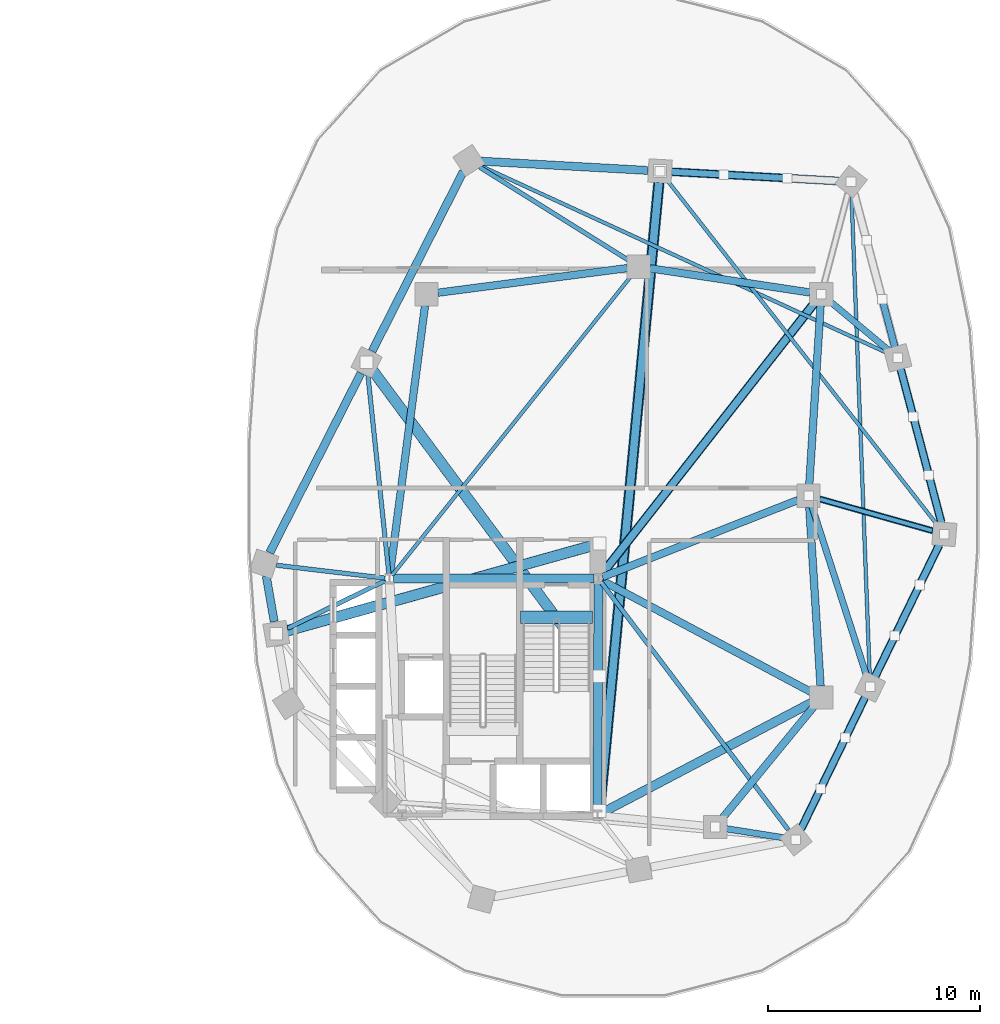
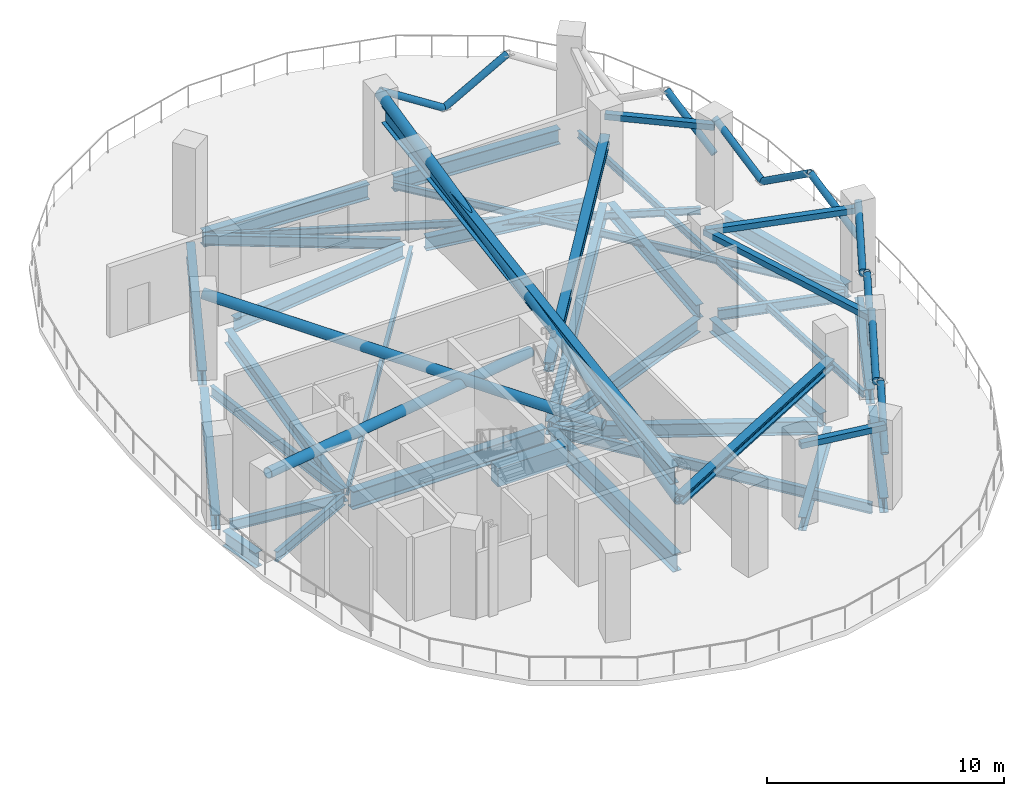
# One storey, part 3 of 13: 31 beams, 21 members.
"""IFC4 building model written with IfcOpenShell, lengths in metres."""

from ifc_helpers import new_model, si_unit, direction, frame, origin, origin_2d, place, context, subcontext, project, spatial, rectangle, hollow_rectangle, hollow_circle, i_section, extrude, material, material_profile, profile_set, type_object, element, save


model = new_model("IFC4")

# Units and contexts
model_context = context("Model", 3, precision=1e-05, world=origin(), true_north=direction((0.0, 1.0)))
body_context = subcontext(model_context, "Body", "Model", "MODEL_VIEW")
ifc_project = project(units=[si_unit("LENGTHUNIT", "METRE"), si_unit("AREAUNIT", "SQUARE_METRE"), si_unit("VOLUMEUNIT", "CUBIC_METRE"), si_unit("PLANEANGLEUNIT", "RADIAN"), si_unit("MASSUNIT", "GRAM", prefix="KILO"), si_unit("THERMODYNAMICTEMPERATUREUNIT", "KELVIN"), si_unit("POWERUNIT", "WATT")], contexts=[model_context])

# Site, building, storey
site_placement = place(None, origin())
site = spatial("IfcSite", under=ifc_project, at=site_placement, CompositionType="ELEMENT")
building_placement = place(site_placement, origin())
building = spatial("IfcBuilding", under=site, at=building_placement, Name="Cundina Bronze Exchange", CompositionType="ELEMENT")
storey_placement = place(building_placement, frame((0.0, 0.0, 77.199951171875)))
storey = spatial("IfcBuildingStorey", under=building, at=storey_placement, Name="L19", CompositionType="ELEMENT", Elevation=77.199951171875)

# Beams
ifc_material_1 = material(Name="Concrete C60/75", Category="concrete")
ifc_material_profile_1 = material_profile(ifc_material_1, rectangle(XDim=0.60009765625, YDim=0.949951171875, at=origin_2d()), Name="RC600X950", Category="concrete")
ifc_profile_set_1 = profile_set([ifc_material_profile_1], Name="Concrete C60/75")
beam_type_1 = type_object("IfcBeamType", Name="BM-COUP-RC950", PredefinedType="LINTEL", material=ifc_profile_set_1)
beam_1_placement = place(storey_placement, frame((27.6201171875, -5.719970703125, -0.474853515625), z_axis=(1.0, 0.0, 0.0), x_axis=(0.0, 1.0, 0.0)))
element("IfcBeam", 1, at=beam_1_placement, inside=storey, type_object=beam_type_1, Name="L19 Stair E1 Landing Header Beam", PredefinedType="LINTEL", context=body_context, shape_type="SweptSolid", body=[
    extrude(rectangle(XDim=0.60009765625, YDim=0.949951171875, at=origin_2d()), origin(), (0.0, 0.0, 1.0), 3.39990234375),
])
ifc_material_2 = material(Name="Steel ASTM A992 Grade 50", Category="steel")
ifc_material_profile_2 = material_profile(ifc_material_2, i_section(OverallWidth=0.2099609375, OverallDepth=0.532958984375, WebThickness=0.01025390625, FlangeThickness=0.015625, FilletRadius=0.013916015625, at=origin_2d()), Name="W21X62", Category="steel")
ifc_profile_set_2 = profile_set([ifc_material_profile_2], Name="Steel ASTM A992 Grade 50")
beam_type_2 = type_object("IfcBeamType", Name="BM-FLR-W21B", PredefinedType="BEAM", material=ifc_profile_set_2)
beam_2_placement = place(storey_placement, frame((21.247314453125, -3.8759765625, -0.54638671875), z_axis=(-0.993035236117, 0.117817739878, 0.0), x_axis=(-0.117817739878, -0.993035236117, 0.0)))
element("IfcBeam", 2, at=beam_2_placement, inside=storey, type_object=beam_type_2, Name="L19 Leg E Chordal Floor Beam 00", PredefinedType="BEAM", context=body_context, shape_type="SweptSolid", body=[
    extrude(i_section(OverallWidth=0.2099609375, OverallDepth=0.532958984375, WebThickness=0.01025390625, FlangeThickness=0.015625, FilletRadius=0.013916015625, at=origin_2d()), origin(), (0.0, 0.0, 1.0), 5.1494140625),
])
beam_3_placement = place(storey_placement, frame((21.2666015625, -3.989501953125, -0.54638671875), z_axis=(-0.898610249448, -0.438747785849, 0.0), x_axis=(0.438747785849, -0.898610249448, 0.0)))
element("IfcBeam", 3, at=beam_3_placement, inside=storey, type_object=beam_type_2, Name="L19 Leg E Chordal Floor Beam 01", PredefinedType="BEAM", context=body_context, shape_type="SweptSolid", body=[
    extrude(i_section(OverallWidth=0.2099609375, OverallDepth=0.532958984375, WebThickness=0.01025390625, FlangeThickness=0.015625, FilletRadius=0.013916015625, at=origin_2d()), origin(), (0.0, 0.0, 1.0), 5.1337890625),
])
beam_4_placement = place(storey_placement, frame((31.423095703125, -4.062744140625, -0.54638671875), z_axis=(0.603106461849, -0.797660702101, 0.0), x_axis=(0.797660702101, 0.603106461849, 0.0)))
element("IfcBeam", 4, at=beam_4_placement, inside=storey, type_object=beam_type_2, Name="L19 Leg E Chordal Floor Beam 06", PredefinedType="BEAM", context=body_context, shape_type="SweptSolid", body=[
    extrude(i_section(OverallWidth=0.2099609375, OverallDepth=0.532958984375, WebThickness=0.01025390625, FlangeThickness=0.015625, FilletRadius=0.013916015625, at=origin_2d()), origin(), (0.0, 0.0, 1.0), 14.6279296875),
])
beam_5_placement = place(storey_placement, frame((41.718017578125, -0.145751953125, -0.54638671875), z_axis=(0.962650219971, -0.270748137554, 0.0), x_axis=(0.270748137554, 0.962650219971, 0.0)))
element("IfcBeam", 5, at=beam_5_placement, inside=storey, type_object=beam_type_2, Name="L19 Leg E Chordal Floor Beam 08", PredefinedType="BEAM", context=body_context, shape_type="SweptSolid", body=[
    extrude(i_section(OverallWidth=0.2099609375, OverallDepth=0.532958984375, WebThickness=0.01025390625, FlangeThickness=0.015625, FilletRadius=0.013916015625, at=origin_2d()), origin(), (0.0, 0.0, 1.0), 5.522216796875),
])
beam_6_placement = place(storey_placement, frame((32.743896484375, 11.085205078125, -0.54638671875), z_axis=(-0.848014812458, 0.529972525563, 0.0), x_axis=(-0.529972525563, -0.848014812458, 0.0)))
element("IfcBeam", 6, at=beam_6_placement, inside=storey, type_object=beam_type_2, Name="L19 Leg E Chordal Floor Beam 12", PredefinedType="BEAM", context=body_context, shape_type="SweptSolid", body=[
    extrude(i_section(OverallWidth=0.2099609375, OverallDepth=0.532958984375, WebThickness=0.01025390625, FlangeThickness=0.015625, FilletRadius=0.013916015625, at=origin_2d()), origin(), (0.0, 0.0, 1.0), 8.30810546875),
])
beam_7_placement = place(storey_placement, frame((21.4287109375, -3.697021484375, -0.54638671875), z_axis=(-0.10483517787, 0.994489610544, 0.0), x_axis=(-0.994489610544, -0.10483517787, 0.0)))
element("IfcBeam", 7, at=beam_7_placement, inside=storey, type_object=beam_type_2, Name="L19 Leg E Chordal Floor Beam 13", PredefinedType="BEAM", context=body_context, shape_type="SweptSolid", body=[
    extrude(i_section(OverallWidth=0.2099609375, OverallDepth=0.532958984375, WebThickness=0.01025390625, FlangeThickness=0.015625, FilletRadius=0.013916015625, at=origin_2d()), origin(), (0.0, 0.0, 1.0), 9.46435546875),
])
ifc_material_profile_3 = material_profile(ifc_material_2, i_section(OverallWidth=0.172119140625, OverallDepth=0.35791015625, WebThickness=0.0078125, FlangeThickness=0.01318359375, FilletRadius=0.010009765625, at=origin_2d()), Name="W14X38", Category="steel")
ifc_profile_set_3 = profile_set([ifc_material_profile_3], Name="Steel ASTM A992 Grade 50")
beam_type_3 = type_object("IfcBeamType", Name="BM-JST-W14", PredefinedType="JOIST", material=ifc_profile_set_3)
beam_8_placement = place(storey_placement, frame((21.577392578125, -3.740478515625, -0.458984375), z_axis=(0.62436887964, 0.781129632095, 0.0), x_axis=(-0.781129632095, 0.62436887964, 0.0)))
element("IfcBeam", 8, at=beam_8_placement, inside=storey, type_object=beam_type_3, Name="L19 E Interior Core-to-Ring Joist 2", PredefinedType="JOIST", context=body_context, shape_type="SweptSolid", body=[
    extrude(i_section(OverallWidth=0.172119140625, OverallDepth=0.35791015625, WebThickness=0.0078125, FlangeThickness=0.01318359375, FilletRadius=0.010009765625, at=origin_2d()), origin(), (0.0, 0.0, 1.0), 18.076904296875),
])
beam_9_placement = place(storey_placement, frame((44.077880859375, -8.412353515625, -0.458984375), z_axis=(-0.037794949147, 0.999285515666, 0.0), x_axis=(-0.999285515666, -0.037794949147, 0.0)))
element("IfcBeam", 9, at=beam_9_placement, inside=storey, type_object=beam_type_3, Name="L19 Leg E Lobe Floor Joist 07-10", PredefinedType="JOIST", context=body_context, shape_type="SweptSolid", body=[
    extrude(i_section(OverallWidth=0.172119140625, OverallDepth=0.35791015625, WebThickness=0.0078125, FlangeThickness=0.01318359375, FilletRadius=0.010009765625, at=origin_2d()), origin(), (0.0, 0.0, 1.0), 22.640869140625),
])
beam_10_placement = place(storey_placement, frame((47.2373046875, -1.337158203125, -0.458984375), z_axis=(-0.616803089524, 0.787117493614, 0.0), x_axis=(-0.787117493614, -0.616803089524, 0.0)))
element("IfcBeam", 10, at=beam_10_placement, inside=storey, type_object=beam_type_3, Name="L19 Leg E Lobe Floor Joist 08-11", PredefinedType="JOIST", context=body_context, shape_type="SweptSolid", body=[
    extrude(i_section(OverallWidth=0.172119140625, OverallDepth=0.35791015625, WebThickness=0.0078125, FlangeThickness=0.01318359375, FilletRadius=0.010009765625, at=origin_2d()), origin(), (0.0, 0.0, 1.0), 20.548828125),
])
beam_11_placement = place(storey_placement, frame((44.865966796875, 6.745849609375, -0.458984375), z_axis=(-0.908351511887, 0.418207521277, 0.0), x_axis=(-0.418207521277, -0.908351511887, 0.0)))
element("IfcBeam", 11, at=beam_11_placement, inside=storey, type_object=beam_type_3, Name="L19 Leg E Lobe Floor Joist 09-12", PredefinedType="JOIST", context=body_context, shape_type="SweptSolid", body=[
    extrude(i_section(OverallWidth=0.172119140625, OverallDepth=0.35791015625, WebThickness=0.0078125, FlangeThickness=0.01318359375, FilletRadius=0.010009765625, at=origin_2d()), origin(), (0.0, 0.0, 1.0), 21.062255859375),
])
ifc_material_profile_4 = material_profile(ifc_material_2, i_section(OverallWidth=0.39990234375, OverallDepth=0.85498046875, WebThickness=0.018310546875, FlangeThickness=0.029296875, FilletRadius=0.02001953125, at=origin_2d()), Name="W33X201", Category="steel")
ifc_profile_set_4 = profile_set([ifc_material_profile_4], Name="Steel ASTM A992 Grade 50")
beam_type_4 = type_object("IfcBeamType", Name="BM-OUT-W33", PredefinedType="USERDEFINED", material=ifc_profile_set_4)
beam_12_placement = place(storey_placement, frame((31.392333984375, -14.402099609375, 3.422607421875), z_axis=(0.094109454141, 0.995561856763, 0.0), x_axis=(-0.995561856763, 0.094109454141, 0.0)))
element("IfcBeam", 12, at=beam_12_placement, inside=storey, type_object=beam_type_4, Name="L19 E Outrigger Upper Tie Chord 1", ObjectType="GIRDER", PredefinedType="USERDEFINED", context=body_context, shape_type="SweptSolid", body=[
    extrude(i_section(OverallWidth=0.39990234375, OverallDepth=0.85498046875, WebThickness=0.018310546875, FlangeThickness=0.029296875, FilletRadius=0.02001953125, at=origin_2d()), origin(), (0.0, 0.0, 1.0), 29.296630859375),
])
ifc_material_profile_5 = material_profile(ifc_material_2, i_section(OverallWidth=0.35498046875, OverallDepth=0.695068359375, WebThickness=0.015380859375, FlangeThickness=0.02490234375, FilletRadius=0.01806640625, at=origin_2d()), Name="W27X146", Category="steel")
ifc_profile_set_5 = profile_set([ifc_material_profile_5], Name="Steel ASTM A992 Grade 50")
beam_type_5 = type_object("IfcBeamType", Name="BM-RING-W27", PredefinedType="USERDEFINED", material=ifc_profile_set_5)
beam_13_placement = place(storey_placement, frame((37.14111328125, -15.183837890625, -0.62744140625), z_axis=(0.633926549035, 0.773393257295, 0.0), x_axis=(-0.773393257295, 0.633926549035, 0.0)))
element("IfcBeam", 13, at=beam_13_placement, inside=storey, type_object=beam_type_5, Name="L19 E Inner Structural Ring Girder 02", ObjectType="GIRDER", PredefinedType="USERDEFINED", context=body_context, shape_type="SweptSolid", body=[
    extrude(i_section(OverallWidth=0.35498046875, OverallDepth=0.695068359375, WebThickness=0.015380859375, FlangeThickness=0.02490234375, FilletRadius=0.01806640625, at=origin_2d()), origin(), (0.0, 0.0, 1.0), 6.811279296875),
])
for number, where, z_axis, x_axis, name in (
    (14, (41.76611328125, -8.963134765625, -0.62744140625), (-0.06303715519, 0.998011180832, 0.0), (-0.998011180832, -0.06303715519, 0.0), "L19 E Inner Structural Ring Girder 03"),
    (15, (41.23388671875, 0.536865234375, -0.62744140625), (0.06303715519, 0.998011180832, 0.0), (-0.998011180832, 0.06303715519, 0.0), "L19 E Inner Structural Ring Girder 04"),
):
    element("IfcBeam", number, at=place(storey_placement, frame(where, z_axis=z_axis, x_axis=x_axis)), inside=storey, type_object=beam_type_5, Name=name, ObjectType="GIRDER", PredefinedType="USERDEFINED", context=body_context, shape_type="SweptSolid", body=[
        extrude(i_section(OverallWidth=0.35498046875, OverallDepth=0.695068359375, WebThickness=0.015380859375, FlangeThickness=0.02490234375, FilletRadius=0.01806640625, at=origin_2d()), origin(), (0.0, 0.0, 1.0), 8.443115234375),
    ])
beam_14_placement = place(storey_placement, frame((41.26806640625, 9.580322265625, -0.62744140625), z_axis=(-0.988767489563, 0.149461873341, 0.0), x_axis=(-0.149461873341, -0.988767489563, 0.0)))
element("IfcBeam", 16, at=beam_14_placement, inside=storey, type_object=beam_type_5, Name="L19 E Inner Structural Ring Girder 05", ObjectType="GIRDER", PredefinedType="USERDEFINED", context=body_context, shape_type="SweptSolid", body=[
    extrude(i_section(OverallWidth=0.35498046875, OverallDepth=0.695068359375, WebThickness=0.015380859375, FlangeThickness=0.02490234375, FilletRadius=0.01806640625, at=origin_2d()), origin(), (0.0, 0.0, 1.0), 7.621826171875),
])
beam_15_placement = place(storey_placement, frame((32.66650390625, 10.730712890625, -0.62744140625), z_axis=(-0.991654577907, -0.128923225666, 0.0), x_axis=(0.128923225666, -0.991654577907, 0.0)))
element("IfcBeam", 17, at=beam_15_placement, inside=storey, type_object=beam_type_5, Name="L19 E Inner Structural Ring Girder 06", ObjectType="GIRDER", PredefinedType="USERDEFINED", context=body_context, shape_type="SweptSolid", body=[
    extrude(i_section(OverallWidth=0.35498046875, OverallDepth=0.695068359375, WebThickness=0.015380859375, FlangeThickness=0.02490234375, FilletRadius=0.01806640625, at=origin_2d()), origin(), (0.0, 0.0, 1.0), 9.00830078125),
])
beam_16_placement = place(storey_placement, frame((23.13037109375, 8.966552734375, -0.62744140625), z_axis=(-0.129507526533, -0.99157843894, 0.0), x_axis=(0.99157843894, -0.129507526533, 0.0)))
element("IfcBeam", 18, at=beam_16_placement, inside=storey, type_object=beam_type_5, Name="L19 E Inner Structural Ring Girder 07", ObjectType="GIRDER", PredefinedType="USERDEFINED", context=body_context, shape_type="SweptSolid", body=[
    extrude(i_section(OverallWidth=0.35498046875, OverallDepth=0.695068359375, WebThickness=0.015380859375, FlangeThickness=0.02490234375, FilletRadius=0.01806640625, at=origin_2d()), origin(), (0.0, 0.0, 1.0), 12.77197265625),
])
beam_17_placement = place(storey_placement, frame((31.48974609375, -3.8251953125, -0.62744140625), z_axis=(0.930413235418, 0.366512225388, 0.0), x_axis=(-0.366512225388, 0.930413235418, 0.0)))
element("IfcBeam", 19, at=beam_17_placement, inside=storey, type_object=beam_type_5, Name="L19 E Core-to-Waist Tie Beam 1", ObjectType="GIRDER", PredefinedType="USERDEFINED", context=body_context, shape_type="SweptSolid", body=[
    extrude(i_section(OverallWidth=0.35498046875, OverallDepth=0.695068359375, WebThickness=0.015380859375, FlangeThickness=0.02490234375, FilletRadius=0.01806640625, at=origin_2d()), origin(), (0.0, 0.0, 1.0), 9.8984375),
])
beam_18_placement = place(storey_placement, frame((31.47998046875, -3.99609375, -0.62744140625), z_axis=(0.882354758239, -0.470584828286, 0.0), x_axis=(0.470584828286, 0.882354758239, 0.0)))
element("IfcBeam", 20, at=beam_18_placement, inside=storey, type_object=beam_type_5, Name="L19 E Core-to-Waist Tie Beam 2", ObjectType="GIRDER", PredefinedType="USERDEFINED", context=body_context, shape_type="SweptSolid", body=[
    extrude(i_section(OverallWidth=0.35498046875, OverallDepth=0.695068359375, WebThickness=0.015380859375, FlangeThickness=0.02490234375, FilletRadius=0.01806640625, at=origin_2d()), origin(), (0.0, 0.0, 1.0), 11.157958984375),
])
beam_19_placement = place(storey_placement, frame((31.42578125, -3.739501953125, -0.62744140625), z_axis=(0.616789275748, 0.787128318206, 0.0), x_axis=(-0.787128318206, 0.616789275748, 0.0)))
element("IfcBeam", 21, at=beam_19_placement, inside=storey, type_object=beam_type_5, Name="L19 E Core-to-Waist Tie Beam 3", ObjectType="GIRDER", PredefinedType="USERDEFINED", context=body_context, shape_type="SweptSolid", body=[
    extrude(i_section(OverallWidth=0.35498046875, OverallDepth=0.695068359375, WebThickness=0.015380859375, FlangeThickness=0.02490234375, FilletRadius=0.01806640625, at=origin_2d()), origin(), (0.0, 0.0, 1.0), 16.281982421875),
])
ifc_material_profile_6 = material_profile(ifc_material_2, i_section(OverallWidth=0.381103515625, OverallDepth=0.77294921875, WebThickness=0.0166015625, FlangeThickness=0.027099609375, FilletRadius=0.01904296875, at=origin_2d()), Name="W30X173", Category="steel")
ifc_profile_set_6 = profile_set([ifc_material_profile_6], Name="Steel ASTM A992 Grade 50")
beam_type_6 = type_object("IfcBeamType", Name="BM-RING-W30", PredefinedType="USERDEFINED", material=ifc_profile_set_6)
beam_20_placement = place(storey_placement, frame((15.65087890625, -3.779296875, -0.66650390625), z_axis=(0.171734584051, -0.985143254883, 0.0), x_axis=(0.985143254883, 0.171734584051, 0.0)))
element("IfcBeam", 22, at=beam_20_placement, inside=storey, type_object=beam_type_6, Name="L19 E Perimeter Ring Girder 00", ObjectType="GIRDER", PredefinedType="USERDEFINED", context=body_context, shape_type="SweptSolid", body=[
    extrude(i_section(OverallWidth=0.381103515625, OverallDepth=0.77294921875, WebThickness=0.0166015625, FlangeThickness=0.027099609375, FilletRadius=0.01904296875, at=origin_2d()), origin(), (0.0, 0.0, 1.0), 2.173583984375),
])
for number, where, z_axis, x_axis, name in (
    (23, (40.857177734375, -15.671142578125, -0.66650390625), (0.437190698904, 0.899368830231, 0.0), (-0.899368830231, 0.437190698904, 0.0), "L19 E Perimeter Ring Girder 06"),
    (24, (44.357177734375, -8.47119140625, -0.66650390625), (0.437190698904, 0.899368830231, 0.0), (-0.899368830231, 0.437190698904, 0.0), "L19 E Perimeter Ring Girder 07"),
):
    element("IfcBeam", number, at=place(storey_placement, frame(where, z_axis=z_axis, x_axis=x_axis)), inside=storey, type_object=beam_type_6, Name=name, ObjectType="GIRDER", PredefinedType="USERDEFINED", context=body_context, shape_type="SweptSolid", body=[
        extrude(i_section(OverallWidth=0.381103515625, OverallDepth=0.77294921875, WebThickness=0.0166015625, FlangeThickness=0.027099609375, FilletRadius=0.01904296875, at=origin_2d()), origin(), (0.0, 0.0, 1.0), 6.82958984375),
    ])
beam_21_placement = place(storey_placement, frame((47.44921875, -1.231689453125, -0.66650390625), z_axis=(-0.256177785604, 0.966629682021, 0.0), x_axis=(-0.966629682021, -0.256177785604, 0.0)))
element("IfcBeam", 25, at=beam_21_placement, inside=storey, type_object=beam_type_6, Name="L19 E Perimeter Ring Girder 08", ObjectType="GIRDER", PredefinedType="USERDEFINED", context=body_context, shape_type="SweptSolid", body=[
    extrude(i_section(OverallWidth=0.381103515625, OverallDepth=0.77294921875, WebThickness=0.0166015625, FlangeThickness=0.027099609375, FilletRadius=0.01904296875, at=origin_2d()), origin(), (0.0, 0.0, 1.0), 7.41064453125),
])
for number, where, z_axis, x_axis, name in (
    (26, (42.61279296875, 14.83251953125, -0.66650390625), (-0.998459969805, 0.055476920391, 0.0), (-0.055476920391, -0.998459969805, 0.0), "L19 E Perimeter Ring Girder 10"),
    (27, (33.61279296875, 15.33251953125, -0.66650390625), (-0.998459969805, 0.055476920391, 0.0), (-0.055476920391, -0.998459969805, 0.0), "L19 E Perimeter Ring Girder 11"),
):
    element("IfcBeam", number, at=place(storey_placement, frame(where, z_axis=z_axis, x_axis=x_axis)), inside=storey, type_object=beam_type_6, Name=name, ObjectType="GIRDER", PredefinedType="USERDEFINED", context=body_context, shape_type="SweptSolid", body=[
        extrude(i_section(OverallWidth=0.381103515625, OverallDepth=0.77294921875, WebThickness=0.0166015625, FlangeThickness=0.027099609375, FilletRadius=0.01904296875, at=origin_2d()), origin(), (0.0, 0.0, 1.0), 7.837646484375),
    ])
for number, where, z_axis, x_axis, name in (
    (28, (24.93359375, 15.275634765625, -0.66650390625), (-0.452819633606, -0.891602141889, 0.0), (0.891602141889, -0.452819633606, 0.0), "L19 E Perimeter Ring Girder 12"),
    (29, (20.108642578125, 5.775634765625, -0.66650390625), (-0.452819633606, -0.891602141889, 0.0), (0.891602141889, -0.452819633606, 0.0), "L19 E Perimeter Ring Girder 13"),
):
    element("IfcBeam", number, at=place(storey_placement, frame(where, z_axis=z_axis, x_axis=x_axis)), inside=storey, type_object=beam_type_6, Name=name, ObjectType="GIRDER", PredefinedType="USERDEFINED", context=body_context, shape_type="SweptSolid", body=[
        extrude(i_section(OverallWidth=0.381103515625, OverallDepth=0.77294921875, WebThickness=0.0166015625, FlangeThickness=0.027099609375, FilletRadius=0.01904296875, at=origin_2d()), origin(), (0.0, 0.0, 1.0), 9.47900390625),
    ])
ifc_material_profile_7 = material_profile(ifc_material_2, i_section(OverallWidth=0.41796875, OverallDepth=0.927001953125, WebThickness=0.019287109375, FlangeThickness=0.031982421875, FilletRadius=0.02392578125, at=origin_2d()), Name="W36X231", Category="steel")
ifc_profile_set_7 = profile_set([ifc_material_profile_7], Name="Steel ASTM A992 Grade 50")
beam_type_7 = type_object("IfcBeamType", Name="BM-WRN-W36B", PredefinedType="USERDEFINED", material=ifc_profile_set_7)
beam_22_placement = place(storey_placement, frame((31.095947265625, -3.89990234375, -0.743408203125), z_axis=(-1.0, 0.0, 0.0), x_axis=(0.0, -1.0, 0.0)))
element("IfcBeam", 30, at=beam_22_placement, inside=storey, type_object=beam_type_7, Name="L19 E Core Perimeter Tie Girder 1", ObjectType="GIRDER", PredefinedType="USERDEFINED", context=body_context, shape_type="SweptSolid", body=[
    extrude(i_section(OverallWidth=0.41796875, OverallDepth=0.927001953125, WebThickness=0.019287109375, FlangeThickness=0.031982421875, FilletRadius=0.02392578125, at=origin_2d()), origin(), (0.0, 0.0, 1.0), 9.44189453125),
])
beam_23_placement = place(storey_placement, frame((31.2509765625, -14.845947265625, -0.743408203125), z_axis=(0.004477329608, 0.99998997671, 0.0), x_axis=(-0.99998997671, 0.004477329608, 0.0)))
element("IfcBeam", 31, at=beam_23_placement, inside=storey, type_object=beam_type_7, Name="L19 E Core Perimeter Tie Girder 4", ObjectType="GIRDER", PredefinedType="USERDEFINED", context=body_context, shape_type="SweptSolid", body=[
    extrude(i_section(OverallWidth=0.41796875, OverallDepth=0.927001953125, WebThickness=0.019287109375, FlangeThickness=0.031982421875, FilletRadius=0.02392578125, at=origin_2d()), origin(), (0.0, 0.0, 1.0), 10.741943359375),
])

# Members
ifc_material_3 = material(Name="Steel ASTM A500 Grade C", Category="steel")
ifc_material_profile_8 = material_profile(ifc_material_3, hollow_circle(Radius=0.162109375, WallThickness=0.01611328125, at=origin_2d()), Name="CHS324X16", Category="steel")
ifc_profile_set_8 = profile_set([ifc_material_profile_8], Name="Steel ASTM A500 Grade C")
member_type_1 = type_object("IfcMemberType", Name="MBR-BLT-CHS324", PredefinedType="BRACE", material=ifc_profile_set_8)
member_1_placement = place(storey_placement, frame((47.60009765625, -1.800048828125, 2.41015625), z_axis=(-0.215191638379, 0.811839826148, 0.542778643142), x_axis=(-0.966618915213, -0.256218408303, 0.0)))
element("IfcMember", 32, at=member_1_placement, inside=storey, type_object=member_type_1, Name="L19 E Perimeter Belt M-Truss Diagonal 1A", PredefinedType="BRACE", context=body_context, shape_type="SweptSolid", body=[
    extrude(hollow_circle(Radius=0.162109375, WallThickness=0.01611328125, at=origin_2d()), origin(), (0.0, 0.0, 1.0), 3.408203125),
])
for number, where, z_axis, x_axis, name in (
    (33, (46.86669921875, 0.966796875, 4.260009765625), (-0.215204153641, 0.811815402482, -0.542810210431), (-0.966613315255, -0.256239533977, 0.0), "L19 E Perimeter Belt M-Truss Diagonal 1B"),
    (34, (46.13330078125, 3.7333984375, 2.41015625), (-0.215204153641, 0.811815402482, 0.542810210431), (-0.966613315255, -0.256239533977, 0.0), "L19 E Perimeter Belt M-Truss Diagonal 1C"),
):
    element("IfcMember", number, at=place(storey_placement, frame(where, z_axis=z_axis, x_axis=x_axis)), inside=storey, type_object=member_type_1, Name=name, PredefinedType="BRACE", context=body_context, shape_type="SweptSolid", body=[
        extrude(hollow_circle(Radius=0.162109375, WallThickness=0.01611328125, at=origin_2d()), origin(), (0.0, 0.0, 1.0), 3.407958984375),
    ])
member_2_placement = place(storey_placement, frame((44.10009765625, -9.0, 2.41015625), z_axis=(0.359269332014, 0.739141384199, 0.569732885867), x_axis=(-0.899384841713, 0.437157759278, 0.0)))
element("IfcMember", 35, at=member_2_placement, inside=storey, type_object=member_type_1, Name="L19 E Perimeter Belt M-Truss Diagonal 2A", PredefinedType="BRACE", context=body_context, shape_type="SweptSolid", body=[
    extrude(hollow_circle(Radius=0.162109375, WallThickness=0.01611328125, at=origin_2d()), origin(), (0.0, 0.0, 1.0), 3.246826171875),
])
for number, where, z_axis, x_axis, name in (
    (36, (45.2666015625, -6.60009765625, 4.260009765625), (0.359314847033, 0.739155526507, -0.569685833013), (-0.899366355353, 0.437195790075, 0.0), "L19 E Perimeter Belt M-Truss Diagonal 2B"),
    (37, (46.433349609375, -4.199951171875, 2.41015625), (0.359334816351, 0.739121415512, 0.56971749393), (-0.899348867178, 0.437231763606, 0.0), "L19 E Perimeter Belt M-Truss Diagonal 2C"),
):
    element("IfcMember", number, at=place(storey_placement, frame(where, z_axis=z_axis, x_axis=x_axis)), inside=storey, type_object=member_type_1, Name=name, PredefinedType="BRACE", context=body_context, shape_type="SweptSolid", body=[
        extrude(hollow_circle(Radius=0.162109375, WallThickness=0.01611328125, at=origin_2d()), origin(), (0.0, 0.0, 1.0), 3.2470703125),
    ])
member_3_placement = place(storey_placement, frame((45.39990234375, 6.5, 2.41015625), z_axis=(-0.215135830676, 0.81182791649, 0.542818577766), x_axis=(-0.966634439785, -0.256159832569, 0.0)))
element("IfcMember", 38, at=member_3_placement, inside=storey, type_object=member_type_1, Name="L19 E Perimeter Belt M-Truss Diagonal 3A", PredefinedType="BRACE", context=body_context, shape_type="SweptSolid", body=[
    extrude(hollow_circle(Radius=0.162109375, WallThickness=0.01611328125, at=origin_2d()), origin(), (0.0, 0.0, 1.0), 3.407958984375),
])
member_4_placement = place(storey_placement, frame((40.60009765625, -16.199951171875, 2.41015625), z_axis=(0.359269332014, 0.739141384199, 0.569732885867), x_axis=(-0.899384841713, 0.437157759278, 0.0)))
element("IfcMember", 39, at=member_4_placement, inside=storey, type_object=member_type_1, Name="L19 E Perimeter Belt M-Truss Diagonal 4A", PredefinedType="BRACE", context=body_context, shape_type="SweptSolid", body=[
    extrude(hollow_circle(Radius=0.162109375, WallThickness=0.01611328125, at=origin_2d()), origin(), (0.0, 0.0, 1.0), 3.246826171875),
])
for number, where, z_axis, x_axis, name in (
    (40, (41.7666015625, -13.800048828125, 4.260009765625), (0.359314847033, 0.739155526507, -0.569685833013), (-0.899366355353, 0.437195790075, 0.0), "L19 E Perimeter Belt M-Truss Diagonal 4B"),
    (41, (42.933349609375, -11.39990234375, 2.41015625), (0.359334816351, 0.739121415512, 0.56971749393), (-0.899348867178, 0.437231763606, 0.0), "L19 E Perimeter Belt M-Truss Diagonal 4C"),
):
    element("IfcMember", number, at=place(storey_placement, frame(where, z_axis=z_axis, x_axis=x_axis)), inside=storey, type_object=member_type_1, Name=name, PredefinedType="BRACE", context=body_context, shape_type="SweptSolid", body=[
        extrude(hollow_circle(Radius=0.162109375, WallThickness=0.01611328125, at=origin_2d()), origin(), (0.0, 0.0, 1.0), 3.2470703125),
    ])
for number, where, z_axis, x_axis, name in (
    (42, (40.199951171875, 14.966796875, 4.260009765625), (-0.850241174808, 0.047189492287, -0.524273875449), (-0.055416016115, -0.998463351935, 0.0), "L19 E Perimeter Belt M-Truss Diagonal 5B"),
    (43, (37.199951171875, 15.13330078125, 2.41015625), (-0.850238396602, 0.04725853067, 0.524272162358), (-0.055497021194, -0.998458852752, 0.0), "L19 E Perimeter Belt M-Truss Diagonal 5C"),
):
    element("IfcMember", number, at=place(storey_placement, frame(where, z_axis=z_axis, x_axis=x_axis)), inside=storey, type_object=member_type_1, Name=name, PredefinedType="BRACE", context=body_context, shape_type="SweptSolid", body=[
        extrude(hollow_circle(Radius=0.162109375, WallThickness=0.01611328125, at=origin_2d()), origin(), (0.0, 0.0, 1.0), 3.5283203125),
    ])
ifc_material_profile_9 = material_profile(ifc_material_3, hollow_rectangle(XDim=0.300048828125, YDim=0.300048828125, WallThickness=0.01611328125, at=origin_2d()), Name="HSS300X300X16", Category="steel")
ifc_profile_set_9 = profile_set([ifc_material_profile_9], Name="Steel ASTM A500 Grade C")
member_type_2 = type_object("IfcMemberType", Name="MBR-BLT-HSS300", PredefinedType="STRUT", material=ifc_profile_set_9)
member_5_placement = place(storey_placement, frame((41.199951171875, 0.0, 3.85009765625), z_axis=(0.962650641065, -0.270746640342, 0.0), x_axis=(0.270746640342, 0.962650641065, 0.0)))
element("IfcMember", 44, at=member_5_placement, inside=storey, type_object=member_type_2, Name="L19 E Outrigger Collector Strut 1", PredefinedType="STRUT", context=body_context, shape_type="SweptSolid", body=[
    extrude(hollow_rectangle(XDim=0.300048828125, YDim=0.300048828125, WallThickness=0.01611328125, at=origin_2d()), origin(), (0.0, 0.0, 1.0), 6.6484375),
])
member_6_placement = place(storey_placement, frame((41.199951171875, 0.0, 3.85009765625), z_axis=(0.306707801861, -0.951803721509, 0.0), x_axis=(0.951803721509, 0.306707801861, 0.0)))
element("IfcMember", 45, at=member_6_placement, inside=storey, type_object=member_type_2, Name="L19 E Outrigger Collector Strut 2", PredefinedType="STRUT", context=body_context, shape_type="SweptSolid", body=[
    extrude(hollow_rectangle(XDim=0.300048828125, YDim=0.300048828125, WallThickness=0.01611328125, at=origin_2d()), origin(), (0.0, 0.0, 1.0), 9.455810546875),
])
member_7_placement = place(storey_placement, frame((41.800048828125, 9.5, 3.85009765625), z_axis=(0.768208468069, -0.640199773186, 0.0), x_axis=(0.640199773186, 0.768208468069, 0.0)))
element("IfcMember", 46, at=member_7_placement, inside=storey, type_object=member_type_2, Name="L19 E Outrigger Collector Strut 3", PredefinedType="STRUT", context=body_context, shape_type="SweptSolid", body=[
    extrude(hollow_rectangle(XDim=0.300048828125, YDim=0.300048828125, WallThickness=0.01611328125, at=origin_2d()), origin(), (0.0, 0.0, 1.0), 4.68603515625),
])
member_8_placement = place(storey_placement, frame((36.800048828125, -15.60009765625, 3.85009765625), z_axis=(0.98776913913, -0.155923467706, 0.0), x_axis=(0.155923467706, 0.98776913913, 0.0)))
element("IfcMember", 47, at=member_8_placement, inside=storey, type_object=member_type_2, Name="L19 E Outrigger Collector Strut 4", PredefinedType="STRUT", context=body_context, shape_type="SweptSolid", body=[
    extrude(hollow_rectangle(XDim=0.300048828125, YDim=0.300048828125, WallThickness=0.01611328125, at=origin_2d()), origin(), (0.0, 0.0, 1.0), 3.84716796875),
])
ifc_material_profile_10 = material_profile(ifc_material_2, i_section(OverallWidth=0.424072265625, OverallDepth=0.47412109375, WebThickness=0.047607421875, FlangeThickness=0.0771484375, FilletRadius=0.01806640625, at=origin_2d()), Name="W14X426", Category="steel")
ifc_profile_set_10 = profile_set([ifc_material_profile_10], Name="Steel ASTM A992 Grade 50")
member_type_3 = type_object("IfcMemberType", Name="MBR-CHORD-W14X", PredefinedType="CHORD", material=ifc_profile_set_10)
member_9_placement = place(storey_placement, frame((31.300048828125, -3.89990234375, 2.650146484375), z_axis=(0.616786098303, 0.787130808024, 0.0), x_axis=(-0.787130808024, 0.616786098303, 0.0)))
element("IfcMember", 48, at=member_9_placement, inside=storey, type_object=member_type_3, Name="L19 East Outrigger Mid-Height Tie Chord 1", PredefinedType="CHORD", context=body_context, shape_type="SweptSolid", body=[
    extrude(i_section(OverallWidth=0.424072265625, OverallDepth=0.47412109375, WebThickness=0.047607421875, FlangeThickness=0.0771484375, FilletRadius=0.01806640625, at=origin_2d()), origin(), (0.0, 0.0, 1.0), 17.023681640625),
])
member_10_placement = place(storey_placement, frame((31.25, -15.050048828125, 2.650146484375), z_axis=(0.8850083895, 0.465575075058, 0.0), x_axis=(-0.465575075058, 0.8850083895, 0.0)))
element("IfcMember", 49, at=member_10_placement, inside=storey, type_object=member_type_3, Name="L19 East Outrigger Mid-Height Tie Chord 2", PredefinedType="CHORD", context=body_context, shape_type="SweptSolid", body=[
    extrude(i_section(OverallWidth=0.424072265625, OverallDepth=0.47412109375, WebThickness=0.047607421875, FlangeThickness=0.0771484375, FilletRadius=0.01806640625, at=origin_2d()), origin(), (0.0, 0.0, 1.0), 11.9208984375),
])
ifc_material_4 = material(Name="Steel ASTM A501 Grade B", Category="steel")
ifc_material_profile_11 = material_profile(ifc_material_4, hollow_circle(Radius=0.25390625, WallThickness=0.02490234375, at=origin_2d()), Name="CHS508X25", Category="steel")
ifc_profile_set_11 = profile_set([ifc_material_profile_11], Name="Steel ASTM A501 Grade B")
member_type_4 = type_object("IfcMemberType", Name="MBR-OUT-CHS508", PredefinedType="BRACE", material=ifc_profile_set_11)
member_11_placement = place(storey_placement, frame((31.35009765625, -14.85009765625, 2.449951171875), z_axis=(0.093963221474, 0.994087898219, 0.054407385757), x_axis=(-0.995562504252, 0.094102604252, 0.0)))
element("IfcMember", 50, at=member_11_placement, inside=storey, type_object=member_type_4, Name="L19 E Outrigger Truss Diagonal 1", PredefinedType="BRACE", context=body_context, shape_type="SweptSolid", body=[
    extrude(hollow_circle(Radius=0.25390625, WallThickness=0.02490234375, at=origin_2d()), origin(), (0.0, 0.0, 1.0), 30.329345703125),
])
member_12_placement = place(storey_placement, frame((31.35009765625, -8.5, 2.449951171875), z_axis=(-0.593276953739, 0.800040979948, 0.089201382087), x_axis=(-0.803243019028, -0.595651452094, 0.0)))
element("IfcMember", 51, at=member_12_placement, inside=storey, type_object=member_type_4, Name="L19 E Outrigger Truss Diagonal 2", PredefinedType="BRACE", context=body_context, shape_type="SweptSolid", body=[
    extrude(hollow_circle(Radius=0.25390625, WallThickness=0.02490234375, at=origin_2d()), origin(), (0.0, 0.0, 1.0), 18.4990234375),
])
member_13_placement = place(storey_placement, frame((31.35009765625, -2.25, 2.449951171875), z_axis=(-0.957971964942, -0.267412462168, 0.103828172782), x_axis=(0.2688656137, -0.963177699996, 0.0)))
element("IfcMember", 52, at=member_13_placement, inside=storey, type_object=member_type_4, Name="L19 E Outrigger Truss Diagonal 3", PredefinedType="BRACE", context=body_context, shape_type="SweptSolid", body=[
    extrude(hollow_circle(Radius=0.25390625, WallThickness=0.02490234375, at=origin_2d()), origin(), (0.0, 0.0, 1.0), 15.89306640625),
])

save(model, "model.ifc")
